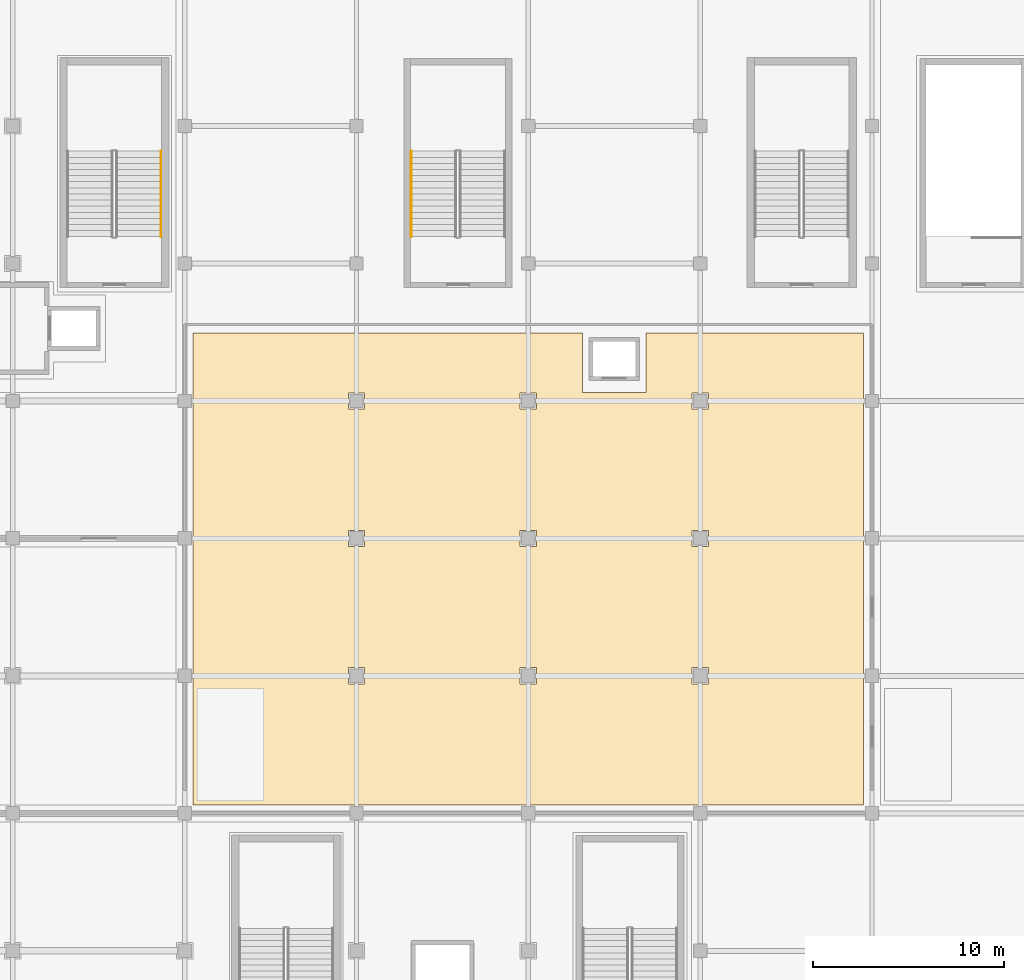
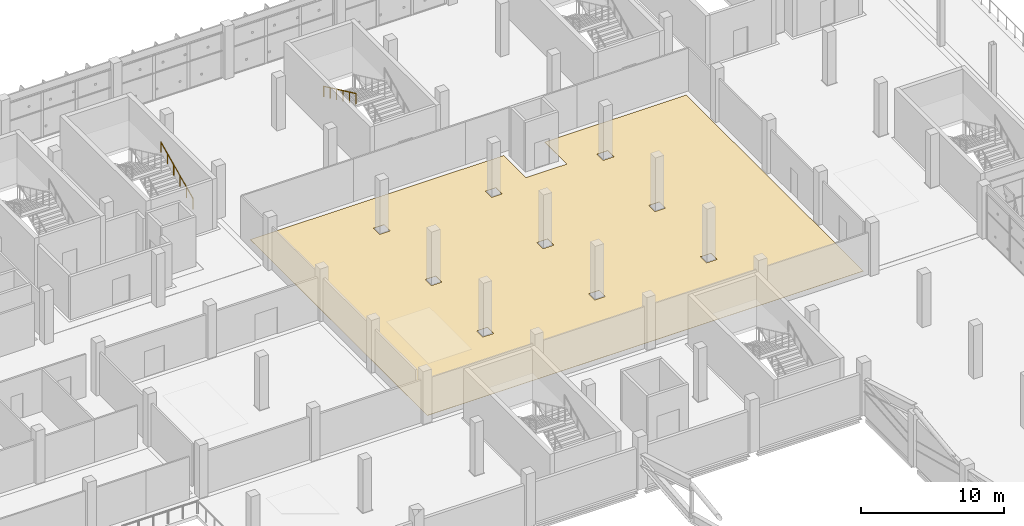
# One storey, part 143 of 151: 2 railings, 1 covering.
"""IFC4 building model written with IfcOpenShell, lengths in metres."""

from ifc_helpers import new_model, si_unit, direction, frame, origin, origin_2d, place, context, subcontext, project, spatial, polyline, circle, outline, extrude, material, layer, layer_set, type_object, element, save


model = new_model("IFC4")

# Units and contexts
model_context = context("Model", 3, precision=1e-05, world=origin(), true_north=direction((0.0, 1.0)))
body_context = subcontext(model_context, "Body", "Model", "MODEL_VIEW")
ifc_project = project(units=[si_unit("LENGTHUNIT", "METRE"), si_unit("AREAUNIT", "SQUARE_METRE"), si_unit("VOLUMEUNIT", "CUBIC_METRE"), si_unit("PLANEANGLEUNIT", "RADIAN"), si_unit("MASSUNIT", "GRAM", prefix="KILO")], contexts=[model_context])

# Site, building, storey
site_placement = place(None, origin())
site = spatial("IfcSite", under=ifc_project, at=site_placement, CompositionType="ELEMENT")
building_placement = place(site_placement, origin())
building = spatial("IfcBuilding", under=site, at=building_placement, Name="Celestram Park Convention Centre", CompositionType="ELEMENT")
storey_placement = place(building_placement, frame((0.0, 0.0, 10.800048828125)))
storey = spatial("IfcBuildingStorey", under=building, at=storey_placement, Name="L02", CompositionType="ELEMENT", Elevation=10.800048828125)

# Covering
ifc_material_1 = material(Name="Polished Lakefront Aggregate Terrazzo Flooring", Category="concrete")
ifc_layer_1 = layer(ifc_material_1, 0.02001953125)
ifc_layer_set_1 = layer_set([ifc_layer_1], Name="Polished Lakefront Aggregate Terrazzo Flooring")
covering_type = type_object("IfcCoveringType", Name="ARC-COV-FLR020", PredefinedType="FLOORING", material=ifc_layer_set_1)
covering_placement = place(storey_placement, origin())
element("IfcCovering", 1, at=covering_placement, inside=storey, type_object=covering_type, Name="Cosmic Horizon Banquet Gallery terrazzo flooring", PredefinedType="FLOORING", context=body_context, shape_type="SweptSolid", body=[
    extrude(outline(polyline([(119.85009765625, 147.550048828125), (119.85009765625, 144.449951171875), (123.14990234375, 144.449951171875), (123.14990234375, 147.550048828125), (134.550048828125, 147.550048828125), (134.550048828125, 122.85009765625), (99.449951171875, 122.85009765625), (99.449951171875, 147.550048828125), (119.85009765625, 147.550048828125)]), holes=[polyline([(117.427978515625, 130.028076171875), (116.572021484375, 130.028076171875), (116.572021484375, 129.172119140625), (117.427978515625, 129.172119140625), (117.427978515625, 130.028076171875)]), polyline([(126.427978515625, 130.028076171875), (125.572021484375, 130.028076171875), (125.572021484375, 129.172119140625), (126.427978515625, 129.172119140625), (126.427978515625, 130.028076171875)]), polyline([(108.427978515625, 130.028076171875), (107.572021484375, 130.028076171875), (107.572021484375, 129.172119140625), (108.427978515625, 129.172119140625), (108.427978515625, 130.028076171875)]), polyline([(117.427978515625, 137.22802734375), (116.572021484375, 137.22802734375), (116.572021484375, 136.3720703125), (117.427978515625, 136.3720703125), (117.427978515625, 137.22802734375)]), polyline([(107.572021484375, 137.22802734375), (107.572021484375, 136.3720703125), (108.427978515625, 136.3720703125), (108.427978515625, 137.22802734375), (107.572021484375, 137.22802734375)]), polyline([(126.427978515625, 137.22802734375), (125.572021484375, 137.22802734375), (125.572021484375, 136.3720703125), (126.427978515625, 136.3720703125), (126.427978515625, 137.22802734375)]), polyline([(126.427978515625, 144.427978515625), (125.572021484375, 144.427978515625), (125.572021484375, 143.572021484375), (126.427978515625, 143.572021484375), (126.427978515625, 144.427978515625)]), polyline([(117.427978515625, 144.427978515625), (116.572021484375, 144.427978515625), (116.572021484375, 143.572021484375), (117.427978515625, 143.572021484375), (117.427978515625, 144.427978515625)]), polyline([(108.427978515625, 144.427978515625), (107.572021484375, 144.427978515625), (107.572021484375, 143.572021484375), (108.427978515625, 143.572021484375), (108.427978515625, 144.427978515625)])]), origin(), (0.0, 0.0, 1.0), 0.02001953125),
])

# Railings
ifc_material_2 = material(Name="Brushed Stainless Steel AISI 304", Category="steel")
ifc_layer_2 = layer(ifc_material_2, 0.048095703125)
ifc_layer_set_2 = layer_set([ifc_layer_2], Name="Brushed Stainless Steel AISI 304")
railing_type = type_object("IfcRailingType", Name="ARC-RL-HND915", PredefinedType="HANDRAIL", material=ifc_layer_set_2)
railing_1_placement = place(storey_placement, frame((110.8759765625, 157.080078125, 2.39990234375)))
element("IfcRailing", 2, at=railing_1_placement, inside=storey, type_object=railing_type, Name="L02 ST-16 stair handrail 2", PredefinedType="HANDRAIL", context=body_context, shape_type="SweptSolid", body=[
    extrude(circle(Radius=0.02392578125, at=origin_2d()), frame((0.0, 0.0, 0.8759765625), z_axis=(0.0, -0.905450639465, 0.424451574969), x_axis=(1.0, 0.0, 0.0)), (0.0, 0.0, 1.0), 4.94775390625),
    extrude(circle(Radius=0.02099609375, at=origin_2d()), origin(), (0.0, 0.0, 1.0), 0.851806640625),
    extrude(circle(Radius=0.02099609375, at=origin_2d()), frame((0.0, -0.89599609375, 0.419921875)), (0.0, 0.0, 1.0), 0.851806640625),
    extrude(circle(Radius=0.02099609375, at=origin_2d()), frame((0.0, -1.7919921875, 0.840087890625)), (0.0, 0.0, 1.0), 0.851806640625),
    extrude(circle(Radius=0.02099609375, at=origin_2d()), frame((0.0, -2.68798828125, 1.260009765625)), (0.0, 0.0, 1.0), 0.851806640625),
    extrude(circle(Radius=0.02099609375, at=origin_2d()), frame((0.0, -3.583984375, 1.68017578125)), (0.0, 0.0, 1.0), 0.851806640625),
    extrude(circle(Radius=0.02099609375, at=origin_2d()), frame((0.0, -4.47998046875, 2.10009765625)), (0.0, 0.0, 1.0), 0.851806640625),
])
railing_2_placement = place(storey_placement, frame((97.763916015625, 152.60009765625, 0.14990234375)))
element("IfcRailing", 3, at=railing_2_placement, inside=storey, type_object=railing_type, Name="L02 ST-19 stair handrail 1", PredefinedType="HANDRAIL", context=body_context, shape_type="SweptSolid", body=[
    extrude(circle(Radius=0.02392578125, at=origin_2d()), frame((0.0, 0.0, 0.8759765625), z_axis=(0.0, 0.905450639465, 0.424451574969), x_axis=(-1.0, 0.0, 0.0)), (0.0, 0.0, 1.0), 4.94775390625),
    extrude(circle(Radius=0.02099609375, at=origin_2d()), origin(), (0.0, 0.0, 1.0), 0.851806640625),
    extrude(circle(Radius=0.02099609375, at=origin_2d()), frame((0.0, 0.89599609375, 0.419921875)), (0.0, 0.0, 1.0), 0.851806640625),
    extrude(circle(Radius=0.02099609375, at=origin_2d()), frame((0.0, 1.7919921875, 0.840087890625)), (0.0, 0.0, 1.0), 0.851806640625),
    extrude(circle(Radius=0.02099609375, at=origin_2d()), frame((0.0, 2.68798828125, 1.260009765625)), (0.0, 0.0, 1.0), 0.851806640625),
    extrude(circle(Radius=0.02099609375, at=origin_2d()), frame((0.0, 3.583984375, 1.68017578125)), (0.0, 0.0, 1.0), 0.851806640625),
    extrude(circle(Radius=0.02099609375, at=origin_2d()), frame((0.0, 4.47998046875, 2.10009765625)), (0.0, 0.0, 1.0), 0.851806640625),
])

save(model, "model.ifc")
